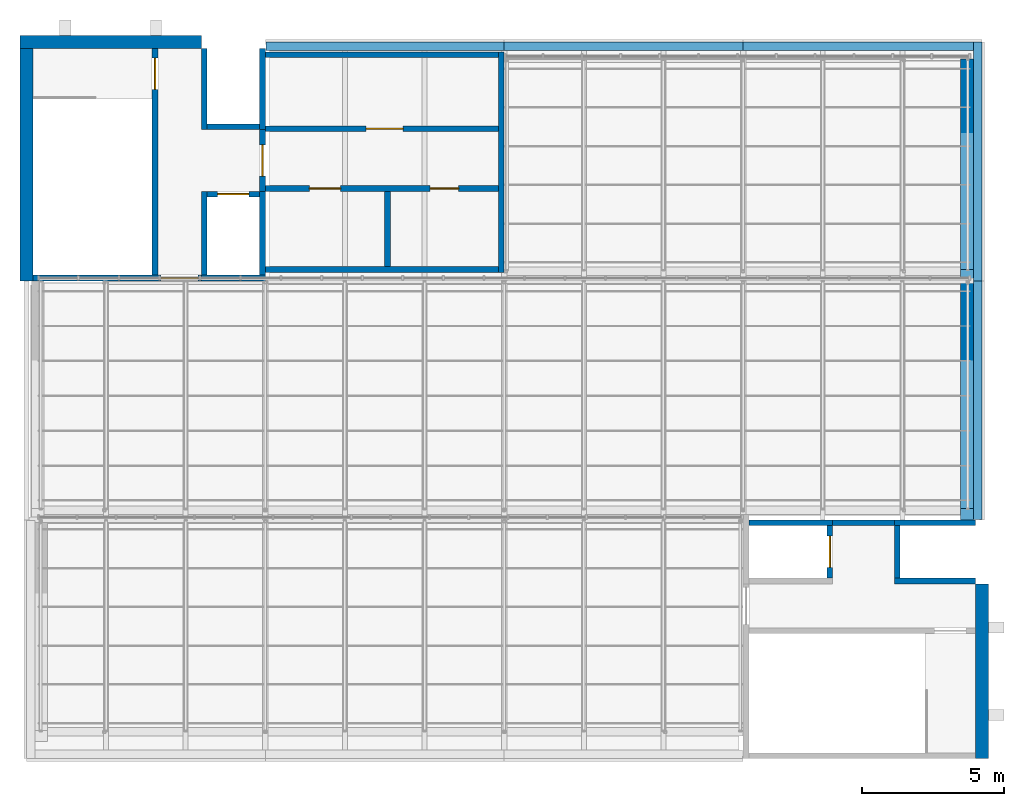
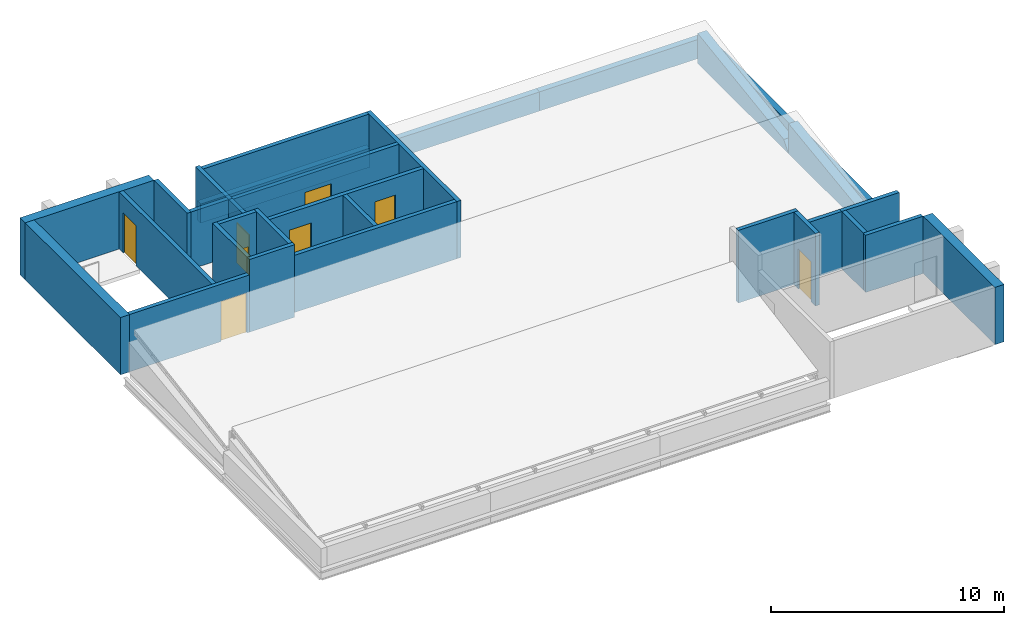
# One storey, part 23 of 33: 32 walls, 8 doors, 8 openings.
"""IFC4 building model written with IfcOpenShell, lengths in metres."""

from ifc_helpers import new_model, si_unit, direction, frame, frame_2d, origin, place, context, subcontext, project, spatial, polyline, rectangle, outline, extrude, material, layer, layer_set, type_object, element, fill, save


model = new_model("IFC4")

# Units and contexts
model_context = context("Model", 3, precision=1e-05, world=origin(), true_north=direction((0.0, 1.0)))
body_context = subcontext(model_context, "Body", "Model", "MODEL_VIEW")
ifc_project = project(units=[si_unit("LENGTHUNIT", "METRE"), si_unit("AREAUNIT", "SQUARE_METRE"), si_unit("VOLUMEUNIT", "CUBIC_METRE"), si_unit("PLANEANGLEUNIT", "RADIAN"), si_unit("MASSUNIT", "GRAM", prefix="KILO")], contexts=[model_context])

# Site, building, storey
site_placement = place(None, origin())
site = spatial("IfcSite", under=ifc_project, at=site_placement, CompositionType="ELEMENT")
building_placement = place(site_placement, origin())
building = spatial("IfcBuilding", under=site, at=building_placement, Name="Ardhachandra Cancer Care Centre", CompositionType="ELEMENT")
storey_placement = place(building_placement, frame((0.0, 0.0, 27.0)))
storey = spatial("IfcBuildingStorey", under=building, at=storey_placement, Name="Roof", CompositionType="ELEMENT", Elevation=27.0)

# Walls
ifc_material_1 = material(Name="Brick masonry (clay brick, cement mortar) with Precast Concrete M25 coping", Category="masonry")
ifc_layer_1 = layer(ifc_material_1, 0.300048828125)
ifc_layer_set_1 = layer_set([ifc_layer_1], Name="Brick masonry (clay brick, cement mortar) with Precast Concrete M25 coping")
wall_type_1 = type_object("IfcWallType", Name="Brick parapet 300", PredefinedType="PARAPET", material=ifc_layer_set_1)
wall_1_placement = place(storey_placement, frame((145.050048828125, 88.219970703125, 0.0), z_axis=(0.0, 0.0, 1.0), x_axis=(0.0, 1.0, 0.0)))
element("IfcWall", 1, at=wall_1_placement, inside=storey, type_object=wall_type_1, Name="Parapet V5 Roof 1", PredefinedType="PARAPET", context=body_context, shape_type="SweptSolid", body=[
    extrude(rectangle(XDim=8.380126953125, YDim=0.300048828125, at=frame_2d((4.18994140625, 0.0))), origin(), (0.0, 0.0, 1.0), 1.0),
])
wall_2_placement = place(storey_placement, frame((145.050048828125, 96.60009765625, 0.0), z_axis=(0.0, 0.0, 1.0), x_axis=(0.0, 1.0, 0.0)))
element("IfcWall", 2, at=wall_2_placement, inside=storey, type_object=wall_type_1, Name="Parapet V5 Roof 2", PredefinedType="PARAPET", context=body_context, shape_type="SweptSolid", body=[
    extrude(rectangle(XDim=8.39990234375, YDim=0.300048828125, at=frame_2d((4.199951171875, 0.0))), origin(), (0.0, 0.0, 1.0), 1.0),
])
wall_3_placement = place(storey_placement, frame((120.02001953125, 104.85009765625, 0.0), z_axis=(0.0, 0.0, 1.0), x_axis=(1.0, 0.0, 0.0)))
element("IfcWall", 3, at=wall_3_placement, inside=storey, type_object=wall_type_1, Name="Parapet V5 Roof 3", PredefinedType="PARAPET", context=body_context, shape_type="SweptSolid", body=[
    extrude(rectangle(XDim=8.3798828125, YDim=0.300048828125, at=frame_2d((4.18994140625, 0.0))), origin(), (0.0, 0.0, 1.0), 1.0),
])
wall_4_placement = place(storey_placement, frame((128.39990234375, 104.85009765625, 0.0), z_axis=(0.0, 0.0, 1.0), x_axis=(1.0, 0.0, 0.0)))
element("IfcWall", 4, at=wall_4_placement, inside=storey, type_object=wall_type_1, Name="Parapet V5 Roof 4", PredefinedType="PARAPET", context=body_context, shape_type="SweptSolid", body=[
    extrude(rectangle(XDim=8.400146484375, YDim=0.300048828125, at=frame_2d((4.2001953125, 0.0))), origin(), (0.0, 0.0, 1.0), 1.0),
])
wall_5_placement = place(storey_placement, frame((136.800048828125, 104.85009765625, 0.0), z_axis=(0.0, 0.0, 1.0), x_axis=(1.0, 0.0, 0.0)))
element("IfcWall", 5, at=wall_5_placement, inside=storey, type_object=wall_type_1, Name="Parapet V5 Roof 5", PredefinedType="PARAPET", context=body_context, shape_type="SweptSolid", body=[
    extrude(rectangle(XDim=8.099853515625, YDim=0.300048828125, at=frame_2d((4.0498046875, 0.0))), origin(), (0.0, 0.0, 1.0), 1.0),
])
ifc_material_2 = material(Name="Concrete M40", Category="concrete")
ifc_layer_2 = layer(ifc_material_2, 0.449951171875)
ifc_layer_set_2 = layer_set([ifc_layer_2], Name="Concrete M40")
wall_type_2 = type_object("IfcWallType", Name="Core exterior wall RC 450", PredefinedType="SOLIDWALL", material=ifc_layer_set_2)
wall_6_placement = place(storey_placement, frame((111.375, 105.0, 0.0), z_axis=(0.0, 0.0, 1.0), x_axis=(1.0, 0.0, 0.0)))
element("IfcWall", 6, at=wall_6_placement, inside=storey, type_object=wall_type_2, Name="Stair head-house wall K12 FAR", PredefinedType="SOLIDWALL", context=body_context, shape_type="SweptSolid", body=[
    extrude(rectangle(XDim=6.375, YDim=0.449951171875, at=frame_2d((3.1875, 0.0))), origin(), (0.0, 0.0, 1.0), 3.0),
])
wall_7_placement = place(storey_placement, frame((111.60009765625, 96.60009765625, 0.0), z_axis=(0.0, 0.0, 1.0), x_axis=(0.0, 1.0, 0.0)))
element("IfcWall", 7, at=wall_7_placement, inside=storey, type_object=wall_type_2, Name="Stair head-house wall K12 UW", PredefinedType="SOLIDWALL", context=body_context, shape_type="SweptSolid", body=[
    extrude(rectangle(XDim=8.1748046875, YDim=0.449951171875, at=frame_2d((4.08740234375, 0.0))), origin(), (0.0, 0.0, 1.0), 3.0),
])
wall_8_placement = place(storey_placement, frame((145.199951171875, 79.800048828125, 0.0), z_axis=(0.0, 0.0, 1.0), x_axis=(0.0, 1.0, 0.0)))
element("IfcWall", 8, at=wall_8_placement, inside=storey, type_object=wall_type_2, Name="Stair head-house wall K13 FAR", PredefinedType="SOLIDWALL", context=body_context, shape_type="SweptSolid", body=[
    extrude(rectangle(XDim=6.14990234375, YDim=0.449951171875, at=frame_2d((3.074951171875, 0.0))), origin(), (0.0, 0.0, 1.0), 3.0),
])

# Wall, opening, door
ifc_material_3 = material(Name="Concrete M40", Category="concrete")
ifc_layer_3 = layer(ifc_material_3, 0.199951171875)
ifc_layer_set_3 = layer_set([ifc_layer_3], Name="Concrete M40")
wall_type_3 = type_object("IfcWallType", Name="Core wall RC 200", PredefinedType="SOLIDWALL", material=ifc_layer_set_3)
wall_9_placement = place(storey_placement, frame((111.824951171875, 96.699951171875, 0.0), z_axis=(0.0, 0.0, 1.0), x_axis=(1.0, 0.0, 0.0)))
wall_9 = element("IfcWall", 9, at=wall_9_placement, inside=storey, type_object=wall_type_3, Name="Stair head-house wall K12 ENT", PredefinedType="SOLIDWALL", context=body_context, shape_type="SweptSolid", body=[
    extrude(rectangle(XDim=5.925048828125, YDim=0.199951171875, at=frame_2d((2.96240234375, 0.0))), origin(), (0.0, 0.0, 1.0), 3.0),
])
opening_1_placement = place(wall_9_placement, frame((4.512451171875, 0.0, 0.0)))
opening_1 = element("IfcOpeningElement", 10, at=opening_1_placement, cuts=wall_9, Name="Opening Roof-K12-3", PredefinedType="OPENING", context=body_context, shape_type="SweptSolid", body=[
    extrude(rectangle(XDim=1.300048828125, YDim=2.10009765625, at=frame_2d((0.64990234375, 1.050048828125))), frame((0.0, 0.10986328125, 0.0), z_axis=(0.0, -1.0, 0.0), x_axis=(1.0, 0.0, 0.0)), (0.0, 0.0, 1.0), 0.219970703125),
])
ifc_material_4 = material(Name="Steel door set", Category="steel")
door_type_1 = type_object("IfcDoorType", Name="Core entry double door 1300x2100 FD60", OperationType="DOUBLE_DOOR_DOUBLE_SWING", PredefinedType="DOOR", material=ifc_material_4)
door_1_placement = place(opening_1_placement, origin())
door_1 = element("IfcDoor", 11, at=door_1_placement, inside=storey, type_object=door_type_1, Name="Roof access door", OperationType="DOUBLE_DOOR_DOUBLE_SWING", OverallHeight=2.10009765625, OverallWidth=1.300048828125, PredefinedType="DOOR", context=body_context, shape_type="SweptSolid", body=[
    extrude(rectangle(XDim=1.300048828125, YDim=2.10009765625, at=frame_2d((0.64990234375, 1.050048828125))), frame((0.0, 0.02490234375, 0.0), z_axis=(0.0, -1.0, 0.0), x_axis=(1.0, 0.0, 0.0)), (0.0, 0.0, 1.0), 0.050048828125),
])
fill(opening_1, door_1)

wall_10_placement = place(storey_placement, frame((116.125, 96.800048828125, 0.0), z_axis=(0.0, 0.0, 1.0), x_axis=(0.0, 1.0, 0.0)))
wall_10 = element("IfcWall", 12, at=wall_10_placement, inside=storey, type_object=wall_type_3, Name="Stair head-house wall K12 P1", PredefinedType="SOLIDWALL", context=body_context, shape_type="SweptSolid", body=[
    extrude(rectangle(XDim=7.974853515625, YDim=0.199951171875, at=frame_2d((3.9873046875, 0.0))), origin(), (0.0, 0.0, 1.0), 3.0),
])
opening_2_placement = place(wall_10_placement, frame((6.53759765625, 0.0, 0.0)))
opening_2 = element("IfcOpeningElement", 13, at=opening_2_placement, cuts=wall_10, Name="Opening Roof-K12-1", PredefinedType="OPENING", context=body_context, shape_type="SweptSolid", body=[
    extrude(rectangle(XDim=1.10009765625, YDim=2.10009765625, at=frame_2d((0.550048828125, 1.050048828125))), frame((0.0, 0.10986328125, 0.0), z_axis=(0.0, -1.0, 0.0), x_axis=(1.0, 0.0, 0.0)), (0.0, 0.0, 1.0), 0.219970703125),
])
ifc_material_5 = material(Name="Steel door set", Category="steel")
door_type_2 = type_object("IfcDoorType", Name="Stair door 1100x2100 FD60S", OperationType="NOTDEFINED", PredefinedType="DOOR", material=ifc_material_5)
door_2_placement = place(opening_2_placement, origin())
door_2 = element("IfcDoor", 14, at=door_2_placement, inside=storey, type_object=door_type_2, Name="Head-house door", OperationType="SINGLE_SWING_LEFT", OverallHeight=2.10009765625, OverallWidth=1.10009765625, PredefinedType="DOOR", context=body_context, shape_type="SweptSolid", body=[
    extrude(rectangle(XDim=1.10009765625, YDim=2.10009765625, at=frame_2d((0.550048828125, 1.050048828125))), frame((0.0, 0.02490234375, 0.0), z_axis=(0.0, -1.0, 0.0), x_axis=(1.0, 0.0, 0.0)), (0.0, 0.0, 1.0), 0.050048828125),
])
fill(opening_2, door_2)

# Wall
wall_11_placement = place(storey_placement, frame((117.85009765625, 96.800048828125, 0.0), z_axis=(0.0, 0.0, 1.0), x_axis=(0.0, 1.0, 0.0)))
element("IfcWall", 15, at=wall_11_placement, inside=storey, type_object=wall_type_3, Name="Lift overrun wall K12A P2A", PredefinedType="SOLIDWALL", context=body_context, shape_type="SweptSolid", body=[
    extrude(rectangle(XDim=2.949951171875, YDim=0.199951171875, at=frame_2d((1.47509765625, 0.0))), origin(), (0.0, 0.0, 1.0), 3.800048828125),
])

# Wall, opening, door
wall_12_placement = place(storey_placement, frame((117.949951171875, 99.64990234375, 0.0), z_axis=(0.0, 0.0, 1.0), x_axis=(1.0, 0.0, 0.0)))
wall_12 = element("IfcWall", 16, at=wall_12_placement, inside=storey, type_object=wall_type_3, Name="Lift overrun wall K12A W1", PredefinedType="SOLIDWALL", context=body_context, shape_type="SweptSolid", body=[
    extrude(rectangle(XDim=1.85009765625, YDim=0.199951171875, at=frame_2d((0.925048828125, 0.0))), origin(), (0.0, 0.0, 1.0), 3.800048828125),
])
opening_3_placement = place(wall_12_placement, frame((0.375, 0.0, 0.0)))
opening_3 = element("IfcOpeningElement", 17, at=opening_3_placement, cuts=wall_12, Name="Opening Roof-K12-2", PredefinedType="OPENING", context=body_context, shape_type="SweptSolid", body=[
    extrude(rectangle(XDim=1.10009765625, YDim=2.10009765625, at=frame_2d((0.550048828125, 1.050048828125))), frame((0.0, 0.10986328125, 0.0), z_axis=(0.0, -1.0, 0.0), x_axis=(1.0, 0.0, 0.0)), (0.0, 0.0, 1.0), 0.219970703125),
])
ifc_material_6 = material(Name="Stainless steel (grade 304)", Category="steel")
door_type_3 = type_object("IfcDoorType", Name="Lift landing door 1100x2100", OperationType="DOUBLE_DOOR_SLIDING", PredefinedType="DOOR", material=ifc_material_6)
door_3_placement = place(opening_3_placement, origin())
door_3 = element("IfcDoor", 18, at=door_3_placement, inside=storey, type_object=door_type_3, Name="Lift landing door LF-K12-1", OperationType="DOUBLE_DOOR_SLIDING", OverallHeight=2.10009765625, OverallWidth=1.10009765625, PredefinedType="DOOR", context=body_context, shape_type="SweptSolid", body=[
    extrude(rectangle(XDim=1.10009765625, YDim=2.10009765625, at=frame_2d((0.550048828125, 1.050048828125))), frame((0.0, 0.02490234375, 0.0), z_axis=(0.0, -1.0, 0.0), x_axis=(1.0, 0.0, 0.0)), (0.0, 0.0, 1.0), 0.050048828125),
])
fill(opening_3, door_3)

# Walls
wall_13_placement = place(storey_placement, frame((117.75, 96.699951171875, 0.0), z_axis=(0.0, 0.0, 1.0), x_axis=(1.0, 0.0, 0.0)))
element("IfcWall", 19, at=wall_13_placement, inside=storey, type_object=wall_type_3, Name="Lift overrun wall K12A ENT", PredefinedType="SOLIDWALL", context=body_context, shape_type="SweptSolid", body=[
    extrude(rectangle(XDim=2.25, YDim=0.199951171875, at=frame_2d((1.125, 0.0))), origin(), (0.0, 0.0, 1.0), 3.800048828125),
])
wall_14_placement = place(storey_placement, frame((119.89990234375, 96.800048828125, 0.0), z_axis=(0.0, 0.0, 1.0), x_axis=(0.0, 1.0, 0.0)))
element("IfcWall", 20, at=wall_14_placement, inside=storey, type_object=wall_type_3, Name="Lift overrun wall K12A UE", PredefinedType="SOLIDWALL", context=body_context, shape_type="SweptSolid", body=[
    extrude(rectangle(XDim=2.949951171875, YDim=0.199951171875, at=frame_2d((1.47509765625, 0.0))), origin(), (0.0, 0.0, 1.0), 3.800048828125),
])
wall_15_placement = place(storey_placement, frame((117.85009765625, 101.925048828125, 0.0), z_axis=(0.0, 0.0, 1.0), x_axis=(0.0, 1.0, 0.0)))
element("IfcWall", 21, at=wall_15_placement, inside=storey, type_object=wall_type_3, Name="Lift overrun wall K12B P2B", PredefinedType="SOLIDWALL", context=body_context, shape_type="SweptSolid", body=[
    extrude(rectangle(XDim=2.849853515625, YDim=0.199951171875, at=frame_2d((1.4248046875, 0.0))), origin(), (0.0, 0.0, 1.0), 3.0),
])
wall_16_placement = place(storey_placement, frame((117.949951171875, 102.02490234375, 0.0), z_axis=(0.0, 0.0, 1.0), x_axis=(1.0, 0.0, 0.0)))
element("IfcWall", 22, at=wall_16_placement, inside=storey, type_object=wall_type_3, Name="Lift overrun wall K12B W2", PredefinedType="SOLIDWALL", context=body_context, shape_type="SweptSolid", body=[
    extrude(rectangle(XDim=1.85009765625, YDim=0.199951171875, at=frame_2d((0.925048828125, 0.0))), origin(), (0.0, 0.0, 1.0), 3.0),
])
wall_17_placement = place(storey_placement, frame((119.89990234375, 101.925048828125, 0.0), z_axis=(0.0, 0.0, 1.0), x_axis=(0.0, 1.0, 0.0)))
element("IfcWall", 23, at=wall_17_placement, inside=storey, type_object=wall_type_3, Name="Lift overrun wall K12B UE", PredefinedType="SOLIDWALL", context=body_context, shape_type="SweptSolid", body=[
    extrude(rectangle(XDim=2.849853515625, YDim=0.199951171875, at=frame_2d((1.4248046875, 0.0))), origin(), (0.0, 0.0, 1.0), 3.0),
])

# Wall, opening, door
wall_18_placement = place(storey_placement, frame((119.89990234375, 99.75, 0.0), z_axis=(0.0, 0.0, 1.0), x_axis=(0.0, 1.0, 0.0)))
wall_18 = element("IfcWall", 24, at=wall_18_placement, inside=storey, type_object=wall_type_3, Name="Head-house wall K12 BUE", PredefinedType="SOLIDWALL", context=body_context, shape_type="SweptSolid", body=[
    extrude(rectangle(XDim=2.175048828125, YDim=0.199951171875, at=frame_2d((1.08740234375, 0.0))), origin(), (0.0, 0.0, 1.0), 3.0),
])
opening_4_placement = place(wall_18_placement, frame((0.53759765625, 0.0, 0.0)))
opening_4 = element("IfcOpeningElement", 25, at=opening_4_placement, cuts=wall_18, Name="Opening Roof-K12-4", PredefinedType="OPENING", context=body_context, shape_type="SweptSolid", body=[
    extrude(rectangle(XDim=1.10009765625, YDim=2.10009765625, at=frame_2d((0.550048828125, 1.050048828125))), frame((0.0, 0.10986328125, 0.0), z_axis=(0.0, -1.0, 0.0), x_axis=(1.0, 0.0, 0.0)), (0.0, 0.0, 1.0), 0.219970703125),
])
ifc_material_7 = material(Name="Steel door set", Category="steel")
door_type_4 = type_object("IfcDoorType", Name="Roof service door 1100x2100 FD60S", OperationType="NOTDEFINED", PredefinedType="DOOR", material=ifc_material_7)
door_4_placement = place(opening_4_placement, origin())
door_4 = element("IfcDoor", 26, at=door_4_placement, inside=storey, type_object=door_type_4, Name="Roof service door K12", OperationType="SINGLE_SWING_LEFT", OverallHeight=2.10009765625, OverallWidth=1.10009765625, PredefinedType="DOOR", context=body_context, shape_type="SweptSolid", body=[
    extrude(rectangle(XDim=1.10009765625, YDim=2.10009765625, at=frame_2d((0.550048828125, 1.050048828125))), frame((0.0, 0.02490234375, 0.0), z_axis=(0.0, -1.0, 0.0), x_axis=(1.0, 0.0, 0.0)), (0.0, 0.0, 1.0), 0.050048828125),
])
fill(opening_4, door_4)

# Walls
for number, where, z_axis, x_axis, name in (
    (27, (120.0, 97.0, 0.0), (0.0, 0.0, 1.0), (1.0, 0.0, 0.0), "Plant block wall K12 south"),
    (28, (120.0, 104.550048828125, 0.0), (0.0, 0.0, 1.0), (1.0, 0.0, 0.0), "Plant block wall K12 north"),
):
    element("IfcWall", number, at=place(storey_placement, frame(where, z_axis=z_axis, x_axis=x_axis)), inside=storey, type_object=wall_type_3, Name=name, PredefinedType="SOLIDWALL", context=body_context, shape_type="SweptSolid", body=[
        extrude(rectangle(XDim=8.199951171875, YDim=0.199951171875, at=frame_2d((4.10009765625, 0.0))), origin(), (0.0, 0.0, 1.0), 3.0),
    ])
wall_19_placement = place(storey_placement, frame((128.300048828125, 96.89990234375, 0.0), z_axis=(0.0, 0.0, 1.0), x_axis=(0.0, 1.0, 0.0)))
element("IfcWall", 29, at=wall_19_placement, inside=storey, type_object=wall_type_3, Name="Plant block wall K12 east", PredefinedType="SOLIDWALL", context=body_context, shape_type="SweptSolid", body=[
    extrude(rectangle(XDim=7.75, YDim=0.199951171875, at=frame_2d((3.875, 0.0))), origin(), (0.0, 0.0, 1.0), 3.0),
])

# Wall, openings, doors
wall_20_placement = place(storey_placement, frame((120.0, 99.85009765625, 0.0), z_axis=(0.0, 0.0, 1.0), x_axis=(1.0, 0.0, 0.0)))
wall_20 = element("IfcWall", 30, at=wall_20_placement, inside=storey, type_object=wall_type_3, Name="Plant block wall K12 corridor south", PredefinedType="SOLIDWALL", context=body_context, shape_type="SweptSolid", body=[
    extrude(rectangle(XDim=8.199951171875, YDim=0.199951171875, at=frame_2d((4.10009765625, 0.0))), origin(), (0.0, 0.0, 1.0), 3.0),
])
opening_5_placement = place(wall_20_placement, frame((1.550048828125, 0.0, 0.0)))
opening_5 = element("IfcOpeningElement", 31, at=opening_5_placement, cuts=wall_20, Name="Opening Roof-K12-5", PredefinedType="OPENING", context=body_context, shape_type="SweptSolid", body=[
    extrude(rectangle(XDim=1.10009765625, YDim=2.10009765625, at=frame_2d((0.550048828125, 1.050048828125))), frame((0.0, 0.10986328125, 0.0), z_axis=(0.0, -1.0, 0.0), x_axis=(1.0, 0.0, 0.0)), (0.0, 0.0, 1.0), 0.219970703125),
])
opening_6_placement = place(wall_20_placement, frame((5.800048828125, 0.0, 0.0)))
opening_6 = element("IfcOpeningElement", 32, at=opening_6_placement, cuts=wall_20, Name="Opening Roof-K12-6", PredefinedType="OPENING", context=body_context, shape_type="SweptSolid", body=[
    extrude(rectangle(XDim=1.0, YDim=2.10009765625, at=frame_2d((0.5, 1.050048828125))), frame((0.0, 0.10986328125, 0.0), z_axis=(0.0, -1.0, 0.0), x_axis=(1.0, 0.0, 0.0)), (0.0, 0.0, 1.0), 0.219970703125),
])
ifc_material_8 = material(Name="Steel door set", Category="steel")
door_type_5 = type_object("IfcDoorType", Name="Electrical room door 1100x2100 FD120S", OperationType="NOTDEFINED", PredefinedType="DOOR", material=ifc_material_8)
door_5_placement = place(opening_5_placement, origin())
door_5 = element("IfcDoor", 33, at=door_5_placement, inside=storey, type_object=door_type_5, Name="Electrical room door K12", OperationType="SINGLE_SWING_LEFT", OverallHeight=2.10009765625, OverallWidth=1.10009765625, PredefinedType="DOOR", context=body_context, shape_type="SweptSolid", body=[
    extrude(rectangle(XDim=1.10009765625, YDim=2.10009765625, at=frame_2d((0.550048828125, 1.050048828125))), frame((0.0, 0.02490234375, 0.0), z_axis=(0.0, -1.0, 0.0), x_axis=(1.0, 0.0, 0.0)), (0.0, 0.0, 1.0), 0.050048828125),
])
fill(opening_5, door_5)
ifc_material_9 = material(Name="Steel door set", Category="steel")
door_type_6 = type_object("IfcDoorType", Name="Store door 1000x2100 FD60S", OperationType="NOTDEFINED", PredefinedType="DOOR", material=ifc_material_9)
door_6_placement = place(opening_6_placement, origin())
door_6 = element("IfcDoor", 34, at=door_6_placement, inside=storey, type_object=door_type_6, Name="Store door K12", OperationType="SINGLE_SWING_LEFT", OverallHeight=2.10009765625, OverallWidth=1.0, PredefinedType="DOOR", context=body_context, shape_type="SweptSolid", body=[
    extrude(rectangle(XDim=1.0, YDim=2.10009765625, at=frame_2d((0.5, 1.050048828125))), frame((0.0, 0.02490234375, 0.0), z_axis=(0.0, -1.0, 0.0), x_axis=(1.0, 0.0, 0.0)), (0.0, 0.0, 1.0), 0.050048828125),
])
fill(opening_6, door_6)

# Wall, opening, door
wall_21_placement = place(storey_placement, frame((120.0, 101.949951171875, 0.0), z_axis=(0.0, 0.0, 1.0), x_axis=(1.0, 0.0, 0.0)))
wall_21 = element("IfcWall", 35, at=wall_21_placement, inside=storey, type_object=wall_type_3, Name="Plant block wall K12 corridor north", PredefinedType="SOLIDWALL", context=body_context, shape_type="SweptSolid", body=[
    extrude(rectangle(XDim=8.199951171875, YDim=0.199951171875, at=frame_2d((4.10009765625, 0.0))), origin(), (0.0, 0.0, 1.0), 3.0),
])
opening_7_placement = place(wall_21_placement, frame((3.550048828125, 0.0, 0.0)))
opening_7 = element("IfcOpeningElement", 36, at=opening_7_placement, cuts=wall_21, Name="Opening Roof-K12-7", PredefinedType="OPENING", context=body_context, shape_type="SweptSolid", body=[
    extrude(rectangle(XDim=1.300048828125, YDim=2.10009765625, at=frame_2d((0.64990234375, 1.050048828125))), frame((0.0, 0.10986328125, 0.0), z_axis=(0.0, -1.0, 0.0), x_axis=(1.0, 0.0, 0.0)), (0.0, 0.0, 1.0), 0.219970703125),
])
ifc_material_10 = material(Name="Steel door set", Category="steel")
door_type_7 = type_object("IfcDoorType", Name="Plant room double door 1300x2100 FD60", OperationType="DOUBLE_DOOR_DOUBLE_SWING", PredefinedType="DOOR", material=ifc_material_10)
door_7_placement = place(opening_7_placement, origin())
door_7 = element("IfcDoor", 37, at=door_7_placement, inside=storey, type_object=door_type_7, Name="Plant room door K12", OperationType="DOUBLE_DOOR_DOUBLE_SWING", OverallHeight=2.10009765625, OverallWidth=1.300048828125, PredefinedType="DOOR", context=body_context, shape_type="SweptSolid", body=[
    extrude(rectangle(XDim=1.300048828125, YDim=2.10009765625, at=frame_2d((0.64990234375, 1.050048828125))), frame((0.0, 0.02490234375, 0.0), z_axis=(0.0, -1.0, 0.0), x_axis=(1.0, 0.0, 0.0)), (0.0, 0.0, 1.0), 0.050048828125),
])
fill(opening_7, door_7)

# Wall
wall_22_placement = place(storey_placement, frame((124.300048828125, 97.10009765625, 0.0), z_axis=(0.0, 0.0, 1.0), x_axis=(0.0, 1.0, 0.0)))
element("IfcWall", 38, at=wall_22_placement, inside=storey, type_object=wall_type_3, Name="Plant block wall K12 partition", PredefinedType="SOLIDWALL", context=body_context, shape_type="SweptSolid", body=[
    extrude(rectangle(XDim=2.64990234375, YDim=0.199951171875, at=frame_2d((1.324951171875, 0.0))), origin(), (0.0, 0.0, 1.0), 3.0),
])

# Wall, opening, door
wall_23_placement = place(storey_placement, frame((139.85009765625, 86.14990234375, 0.0), z_axis=(0.0, 0.0, 1.0), x_axis=(0.0, 1.0, 0.0)))
wall_23 = element("IfcWall", 39, at=wall_23_placement, inside=storey, type_object=wall_type_3, Name="Lift overrun wall K13A W1", PredefinedType="SOLIDWALL", context=body_context, shape_type="SweptSolid", body=[
    extrude(rectangle(XDim=1.85009765625, YDim=0.199951171875, at=frame_2d((0.925048828125, 0.0))), origin(), (0.0, 0.0, 1.0), 3.800048828125),
])
opening_8_placement = place(wall_23_placement, frame((0.375, 0.0, 0.0)))
opening_8 = element("IfcOpeningElement", 40, at=opening_8_placement, cuts=wall_23, Name="Opening Roof-K13-2", PredefinedType="OPENING", context=body_context, shape_type="SweptSolid", body=[
    extrude(rectangle(XDim=1.10009765625, YDim=2.10009765625, at=frame_2d((0.550048828125, 1.050048828125))), frame((0.0, 0.10986328125, 0.0), z_axis=(0.0, -1.0, 0.0), x_axis=(1.0, 0.0, 0.0)), (0.0, 0.0, 1.0), 0.219970703125),
])
door_8_placement = place(opening_8_placement, origin())
door_8 = element("IfcDoor", 41, at=door_8_placement, inside=storey, type_object=door_type_3, Name="Lift landing door LF-K13-1", OperationType="DOUBLE_DOOR_SLIDING", OverallHeight=2.10009765625, OverallWidth=1.10009765625, PredefinedType="DOOR", context=body_context, shape_type="SweptSolid", body=[
    extrude(rectangle(XDim=1.10009765625, YDim=2.10009765625, at=frame_2d((0.550048828125, 1.050048828125))), frame((0.0, 0.02490234375, 0.0), z_axis=(0.0, -1.0, 0.0), x_axis=(1.0, 0.0, 0.0)), (0.0, 0.0, 1.0), 0.050048828125),
])
fill(opening_8, door_8)

# Walls
wall_24_placement = place(storey_placement, frame((137.0, 88.10009765625, 0.0), z_axis=(0.0, 0.0, 1.0), x_axis=(1.0, 0.0, 0.0)))
element("IfcWall", 42, at=wall_24_placement, inside=storey, type_object=wall_type_3, Name="Lift overrun wall K13A UE", PredefinedType="SOLIDWALL", context=body_context, shape_type="SweptSolid", body=[
    extrude(rectangle(XDim=2.949951171875, YDim=0.199951171875, at=frame_2d((1.47509765625, 0.0))), origin(), (0.0, 0.0, 1.0), 3.800048828125),
])
wall_25_placement = place(storey_placement, frame((142.125, 86.050048828125, 0.0), z_axis=(0.0, 0.0, 1.0), x_axis=(1.0, 0.0, 0.0)))
element("IfcWall", 43, at=wall_25_placement, inside=storey, type_object=wall_type_3, Name="Lift overrun wall K13B P2B", PredefinedType="SOLIDWALL", context=body_context, shape_type="SweptSolid", body=[
    extrude(rectangle(XDim=2.85009765625, YDim=0.199951171875, at=frame_2d((1.425048828125, 0.0))), origin(), (0.0, 0.0, 1.0), 3.0),
])
wall_26_placement = place(storey_placement, frame((142.22509765625, 86.14990234375, 0.0), z_axis=(0.0, 0.0, 1.0), x_axis=(0.0, 1.0, 0.0)))
element("IfcWall", 44, at=wall_26_placement, inside=storey, type_object=wall_type_3, Name="Lift overrun wall K13B W2", PredefinedType="SOLIDWALL", context=body_context, shape_type="SweptSolid", body=[
    extrude(rectangle(XDim=1.85009765625, YDim=0.199951171875, at=frame_2d((0.925048828125, 0.0))), origin(), (0.0, 0.0, 1.0), 3.0),
])
wall_27_placement = place(storey_placement, frame((142.125, 88.10009765625, 0.0), z_axis=(0.0, 0.0, 1.0), x_axis=(1.0, 0.0, 0.0)))
element("IfcWall", 45, at=wall_27_placement, inside=storey, type_object=wall_type_3, Name="Lift overrun wall K13B UE", PredefinedType="SOLIDWALL", context=body_context, shape_type="SweptSolid", body=[
    extrude(rectangle(XDim=2.85009765625, YDim=0.199951171875, at=frame_2d((1.425048828125, 0.0))), origin(), (0.0, 0.0, 1.0), 3.0),
])
wall_28_placement = place(storey_placement, frame((139.949951171875, 88.10009765625, 0.0), z_axis=(0.0, 0.0, 1.0), x_axis=(1.0, 0.0, 0.0)))
element("IfcWall", 46, at=wall_28_placement, inside=storey, type_object=wall_type_3, Name="Head-house wall K13 BUE", PredefinedType="SOLIDWALL", context=body_context, shape_type="SweptSolid", body=[
    extrude(rectangle(XDim=2.175048828125, YDim=0.199951171875, at=frame_2d((1.08740234375, 0.0))), origin(), (0.0, 0.0, 1.0), 3.0),
])
ifc_material_11 = material(Name="Brick masonry (clay brick, cement mortar) with mineral wool cavity insulation", Category="masonry")
ifc_layer_4 = layer(ifc_material_11, 0.449951171875)
ifc_layer_set_4 = layer_set([ifc_layer_4], Name="Brick masonry (clay brick, cement mortar) with mineral wool cavity insulation")
wall_type_4 = type_object("IfcWallType", Name="Gable infill wall 450", PredefinedType="SOLIDWALL", material=ifc_layer_set_4)
wall_29_placement = place(storey_placement, frame((144.675048828125, 88.199951171875, 0.0), z_axis=(0.0, 0.0, 1.0), x_axis=(0.0, 1.0, 0.0)))
element("IfcWall", 47, at=wall_29_placement, inside=storey, type_object=wall_type_4, Name="Tooth end wall ST2a e", PredefinedType="SOLIDWALL", context=body_context, shape_type="SweptSolid", body=[
    extrude(outline(polyline([(0.0, 0.0), (8.39990234375, 0.0), (8.39990234375, 1.580078125), (0.39990234375, 0.5), (0.0, 0.0)])), frame((0.0, 0.22509765625, 0.0), z_axis=(0.0, -1.0, 0.0), x_axis=(1.0, 0.0, 0.0)), (0.0, 0.0, 1.0), 0.449951171875),
])
wall_30_placement = place(storey_placement, frame((144.675048828125, 96.60009765625, 0.0), z_axis=(0.0, 0.0, 1.0), x_axis=(0.0, 1.0, 0.0)))
element("IfcWall", 48, at=wall_30_placement, inside=storey, type_object=wall_type_4, Name="Tooth end wall ST3a e", PredefinedType="SOLIDWALL", context=body_context, shape_type="SweptSolid", body=[
    extrude(outline(polyline([(0.0, 0.0), (7.800048828125, 0.0), (7.800048828125, 1.580078125), (0.39990234375, 0.5), (0.0, 0.0)])), frame((0.0, 0.22509765625, 0.0), z_axis=(0.0, -1.0, 0.0), x_axis=(1.0, 0.0, 0.0)), (0.0, 0.0, 1.0), 0.449951171875),
])

save(model, "model.ifc")
